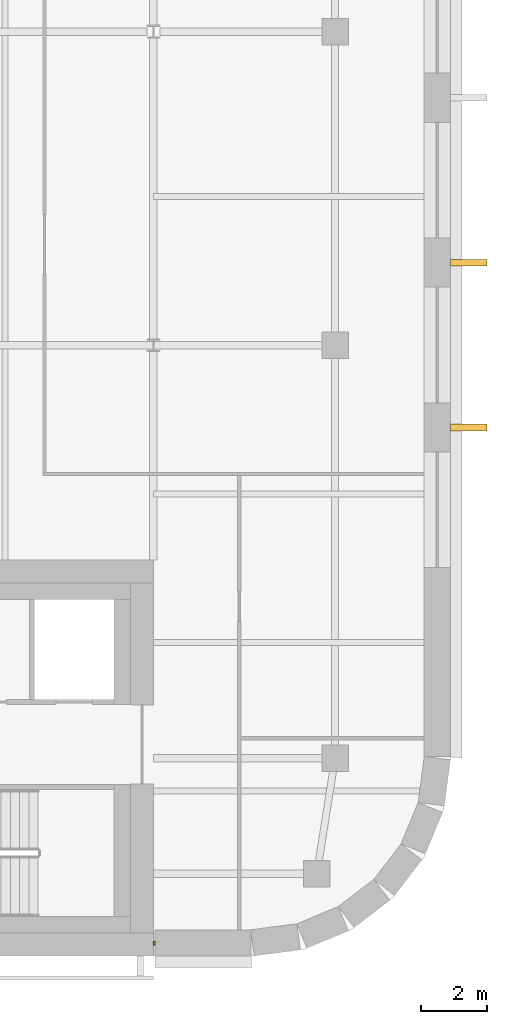
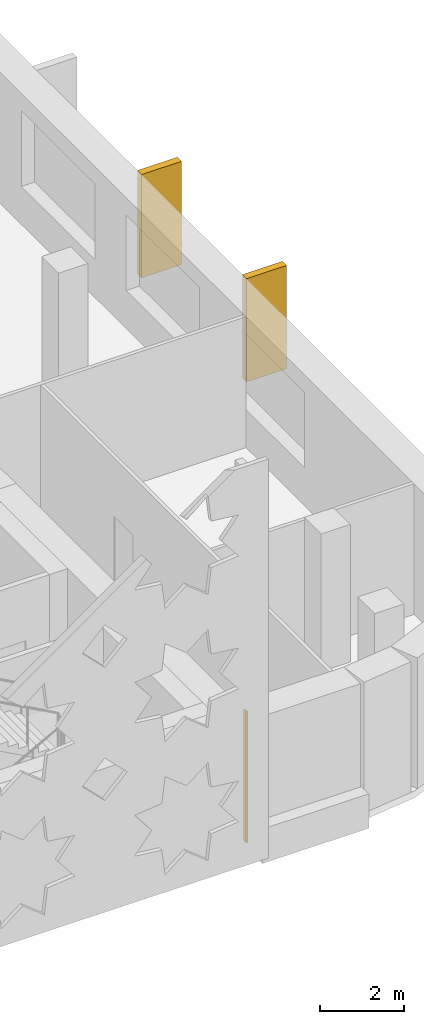
# One storey, part 17 of 18: 3 coverings.
"""IFC4 building model written with IfcOpenShell, lengths in metres."""

from ifc_helpers import new_model, si_unit, direction, frame, origin, origin_2d, place, context, subcontext, project, spatial, polyline, rectangle, outline, extrude, material, layer, layer_set, type_object, element, save


model = new_model("IFC4")

# Units and contexts
model_context = context("Model", 3, precision=1e-05, world=origin(), true_north=direction((0.0, 1.0)))
body_context = subcontext(model_context, "Body", "Model", "MODEL_VIEW")
ifc_project = project(units=[si_unit("LENGTHUNIT", "METRE"), si_unit("AREAUNIT", "SQUARE_METRE"), si_unit("VOLUMEUNIT", "CUBIC_METRE"), si_unit("PLANEANGLEUNIT", "RADIAN"), si_unit("MASSUNIT", "GRAM", prefix="KILO")], contexts=[model_context])

# Site, building, storey
site_placement = place(None, origin())
site = spatial("IfcSite", under=ifc_project, at=site_placement, CompositionType="ELEMENT")
building_placement = place(site_placement, origin())
building = spatial("IfcBuilding", under=site, at=building_placement, Name="Zellij Exchange Tower", CompositionType="ELEMENT")
storey_placement = place(building_placement, frame((0.0, 0.0, 240.5)))
storey = spatial("IfcBuildingStorey", under=building, at=storey_placement, Name="L56", CompositionType="ELEMENT", Elevation=240.5)

# Coverings
ifc_material = material(Name="Limestone cladding", Category="masonry")
ifc_layer = layer(ifc_material, 0.1201171875)
ifc_layer_set = layer_set([ifc_layer], Name="Limestone cladding")
covering_type_1 = type_object("IfcCoveringType", Name="ENV-CV18 Glazing closer 120", PredefinedType="CLADDING", material=ifc_layer_set)
covering_1_placement = place(storey_placement, frame((27.02490234375, -13.60009765625, 0.0), z_axis=(0.0, 0.0, 1.0), x_axis=(-1.0, 0.0, 0.0)))
element("IfcCovering", 1, at=covering_1_placement, inside=storey, type_object=covering_type_1, Name="Glazing closer", PredefinedType="CLADDING", context=body_context, shape_type="SweptSolid", body=[
    extrude(rectangle(XDim=0.050048828125, YDim=0.1201171875, at=origin_2d()), origin(), (0.0, 0.0, 1.0), 3.800048828125),
])
covering_type_2 = type_object("IfcCoveringType", Name="ENV-CV6 Stone pier 200x1100", PredefinedType="CLADDING", material=ifc_material)
covering_2_placement = place(storey_placement, frame((0.0, 0.0, 0.800048828125)))
element("IfcCovering", 2, at=covering_2_placement, inside=storey, type_object=covering_type_2, Name="Stone pier", PredefinedType="CLADDING", context=body_context, shape_type="SweptSolid", body=[
    extrude(outline(polyline([(36.0, 1.9111328125), (36.0, 2.111083984375), (37.10009765625, 2.111083984375), (37.10009765625, 1.9111328125), (36.0, 1.9111328125)])), origin(), (0.0, 0.0, 1.0), 3.0),
])
covering_3_placement = place(storey_placement, frame((0.0, 0.0, 0.800048828125)))
element("IfcCovering", 3, at=covering_3_placement, inside=storey, type_object=covering_type_2, Name="Stone pier", PredefinedType="CLADDING", context=body_context, shape_type="SweptSolid", body=[
    extrude(outline(polyline([(36.0, 6.90380859375), (36.0, 7.103759765625), (37.10009765625, 7.103759765625), (37.10009765625, 6.90380859375), (36.0, 6.90380859375)])), origin(), (0.0, 0.0, 1.0), 3.0),
])

save(model, "model.ifc")
